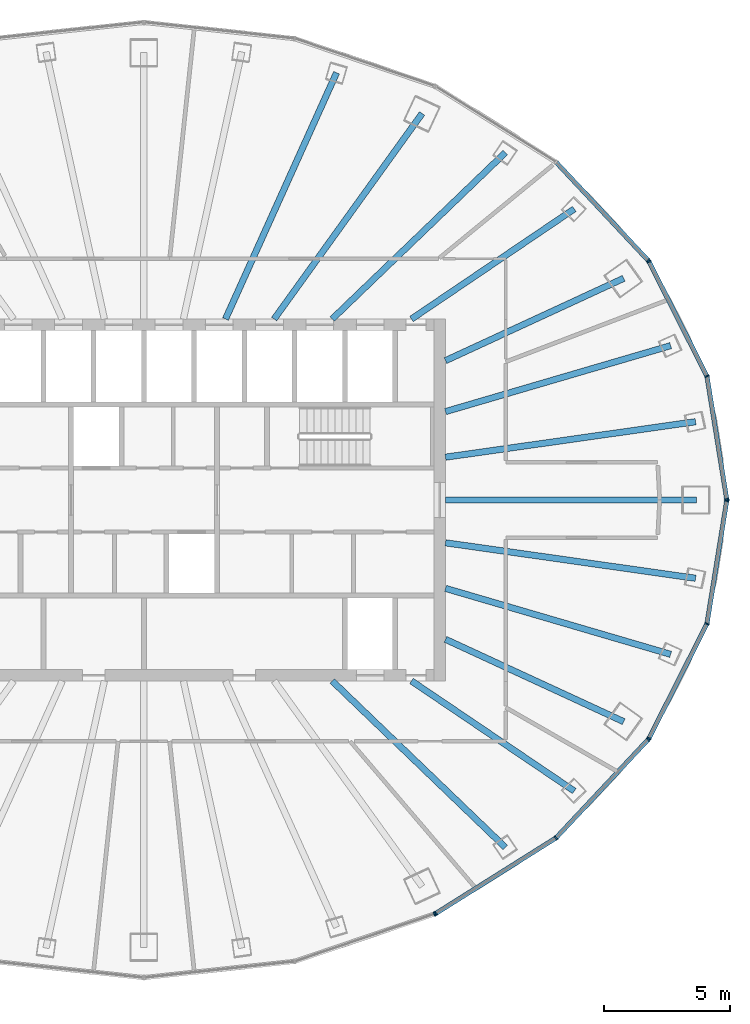
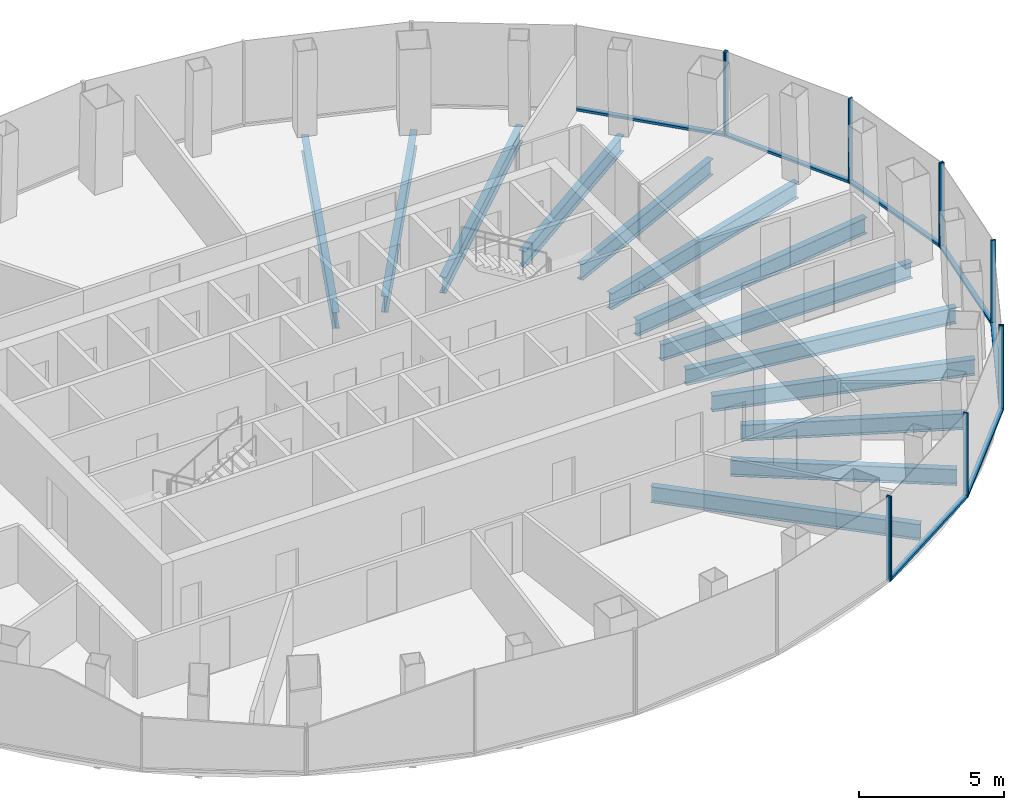
# One storey, part 5 of 11: 18 members, 13 beams, 5 elements without a shape of their own.
"""IFC4 building model written with IfcOpenShell, lengths in metres."""

import ifcopenshell
import ifcopenshell.guid

model = None  # the IFC model being written
_history = None  # IfcOwnerHistory: only IFC2X3 demands one
_inside = {}  # id of a spatial element -> (the spatial element, [elements in it])
_under = {}  # id of a project, library or spatial element -> (it, [spatial elements below it])
_declared = {}  # id of a project -> (the project, [libraries it declares])
_typed = {}  # id of a type object -> (the type object, [elements of that type])
_made_of = {}  # id of a material, layer set ... -> (it, [elements and type objects made of it])


def new_model(schema):
    """Start an empty IFC model of exactly this schema.

    Asked for "IFC4X3", IfcOpenShell would pick the latest addendum, in which some entities
    have other attributes; the version numbers below select the first issue.
    IFC2X3 requires an IfcOwnerHistory on every rooted entity: one is made here for all.
    """
    global model, _history
    if schema == "IFC4X3":
        model = ifcopenshell.file(schema_version=(4, 3, 0, 0))
    else:
        model = ifcopenshell.file(schema=schema)
    _inside.clear()
    _under.clear()
    _declared.clear()
    _typed.clear()
    _made_of.clear()
    _history = None
    if model.schema == "IFC2X3":
        org = make("IfcOrganization", Name="unknown")
        user = make(
            "IfcPersonAndOrganization",
            ThePerson=make("IfcPerson", FamilyName="unknown"),
            TheOrganization=org,
        )
        app = make(
            "IfcApplication",
            ApplicationDeveloper=org,
            Version="unknown",
            ApplicationFullName="unknown",
            ApplicationIdentifier="unknown",
        )
        _history = make(
            "IfcOwnerHistory",
            OwningUser=user,
            OwningApplication=app,
            ChangeAction="ADDED",
            CreationDate=0,
        )
    return model


def make(cls, **values):
    """One entity of the class cls with the attributes given. An attribute that is None is left unset."""
    return model.create_entity(
        cls, **{name: value for name, value in values.items() if value is not None}
    )


def rooted(cls, **values):
    """An entity with a GlobalId (a new one), such as an element, a storey or a relation."""
    return make(cls, GlobalId=ifcopenshell.guid.new(), OwnerHistory=_history, **values)


def si_unit(unit_type, name, prefix=None):
    """IfcSIUnit, for example si_unit("LENGTHUNIT", "METRE", prefix="MILLI")."""
    return make("IfcSIUnit", UnitType=unit_type, Prefix=prefix, Name=name)


def assignment(units):
    """IfcUnitAssignment: the units of a project."""
    return None if units is None else make("IfcUnitAssignment", Units=units)


def point(xyz):
    """IfcCartesianPoint."""
    return None if xyz is None else make("IfcCartesianPoint", Coordinates=xyz)


def direction(xyz):
    """IfcDirection."""
    return None if xyz is None else make("IfcDirection", DirectionRatios=xyz)


def frame(location, z_axis=None, x_axis=None):
    """IfcAxis2Placement3D, a coordinate frame: its origin and axes. An axis left out is left unset."""
    return make(
        "IfcAxis2Placement3D",
        Location=point(location),
        Axis=direction(z_axis),
        RefDirection=direction(x_axis),
    )


def frame_2d(location, x_axis=None):
    """IfcAxis2Placement2D, a coordinate frame in the plane: its origin and x axis."""
    return make(
        "IfcAxis2Placement2D", Location=point(location), RefDirection=direction(x_axis)
    )


def origin():
    """The frame at (0, 0, 0) with its axes left unset."""
    return frame((0.0, 0.0, 0.0))


def origin_2d():
    """The frame at (0, 0) in the plane with its x axis left unset."""
    return frame_2d((0.0, 0.0))


def place(relative_to, where):
    """IfcLocalPlacement: puts the frame where relative to a parent placement (None: the world)."""
    return make(
        "IfcLocalPlacement", PlacementRelTo=relative_to, RelativePlacement=where
    )


def context(
    kind, dimensions, precision=None, world=None, true_north=None, identifier=None
):
    """IfcGeometricRepresentationContext, for example the 3D "Model" context."""
    return make(
        "IfcGeometricRepresentationContext",
        ContextIdentifier=identifier,
        ContextType=kind,
        CoordinateSpaceDimension=dimensions,
        Precision=precision,
        WorldCoordinateSystem=world,
        TrueNorth=true_north,
    )


def subcontext(parent, identifier, kind, view, scale=None):
    """IfcGeometricRepresentationSubContext, for example "Body" below "Model"."""
    return make(
        "IfcGeometricRepresentationSubContext",
        ContextIdentifier=identifier,
        ContextType=kind,
        ParentContext=parent,
        TargetScale=scale,
        TargetView=view,
    )


def project(units=None, contexts=None):
    """IfcProject with its units and contexts."""
    return rooted(
        "IfcProject",
        Name="project",
        RepresentationContexts=contexts,
        UnitsInContext=assignment(units),
    )


def spatial(cls, under=None, at=None, **own):
    """A site, building, storey or space (cls), placed at a placement, below another one or the project."""
    s = rooted(cls, ObjectPlacement=at, **own)
    if under is not None:
        _under.setdefault(under.id(), (under, []))[1].append(s)
    return s


def profile(cls, at=None, kind="AREA", **sizes):
    """A parametric profile (cls). Its sizes go by their IFC names, for example OverallWidth=200.0."""
    return make(cls, ProfileType=kind, Position=at, **sizes)


def rectangle(**sizes):
    """IfcRectangleProfileDef."""
    return profile("IfcRectangleProfileDef", **sizes)


def i_section(**sizes):
    """IfcIShapeProfileDef."""
    return profile("IfcIShapeProfileDef", **sizes)


def extrude(swept, where, along, depth):
    """IfcExtrudedAreaSolid: the profile swept, set in the frame where, extruded along a direction by depth."""
    return make(
        "IfcExtrudedAreaSolid",
        SweptArea=swept,
        Position=where,
        ExtrudedDirection=direction(along),
        Depth=depth,
    )


def shape(context_of_items, identifier, shape_type, items):
    """IfcShapeRepresentation: the items that make up one representation, for example the "Body"."""
    return make(
        "IfcShapeRepresentation",
        ContextOfItems=context_of_items,
        RepresentationIdentifier=identifier,
        RepresentationType=shape_type,
        Items=items,
    )


def material(Name=None, Category=None):
    """IfcMaterial."""
    return make("IfcMaterial", Name=Name, Category=Category)


def layer(
    of_material, thickness, ventilated=None, Name=None, Category=None, Priority=None
):
    """IfcMaterialLayer: one layer of a wall or slab, of a material (None: an air gap)."""
    return make(
        "IfcMaterialLayer",
        Material=of_material,
        LayerThickness=thickness,
        IsVentilated=ventilated,
        Name=Name,
        Category=Category,
        Priority=Priority,
    )


def layer_set(layers, Name=None):
    """IfcMaterialLayerSet."""
    return make("IfcMaterialLayerSet", MaterialLayers=layers, LayerSetName=Name)


def material_profile(
    of_material, cross_section, Name=None, Category=None, Priority=None
):
    """IfcMaterialProfile: a cross section and its material."""
    return make(
        "IfcMaterialProfile",
        Name=Name,
        Material=of_material,
        Profile=cross_section,
        Priority=Priority,
        Category=Category,
    )


def profile_set(profiles, Name=None, composite=None):
    """IfcMaterialProfileSet."""
    return make(
        "IfcMaterialProfileSet",
        Name=Name,
        MaterialProfiles=profiles,
        CompositeProfile=composite,
    )


def made_of(thing, what):
    """Note that an element or type object is made of a material, layer set ...; save() writes the relation."""
    if what is not None:
        _made_of.setdefault(what.id(), (what, []))[1].append(thing)
    return thing


def type_object(cls, material=None, **own):
    """A type object (cls), such as IfcWallType, which elements share."""
    return made_of(rooted(cls, **own), material)


def element(
    cls,
    number,
    at=None,
    inside=None,
    cuts=None,
    type_object=None,
    material=None,
    context=None,
    identifier="Body",
    shape_type=None,
    held_by="IfcProductDefinitionShape",
    body=None,
    shapes=None,
    **own,
):
    """One element of the class cls, such as IfcWall. Its Tag is "e" and its number.

    at: its placement. inside: the storey or other place that contains it. cuts: it is an
    opening in that element (IfcRelVoidsElement). A single representation is given by context,
    identifier, shape_type and body (its items); several are given by shapes. held_by: the class
    of the entity that holds the representations. save() writes the other relations.
    """
    e = rooted(cls, Tag="e%d" % number, ObjectPlacement=at, **own)
    if body is not None:
        shapes = [shape(context, identifier, shape_type, body)]
    if shapes is not None:
        e.Representation = make(held_by, Representations=shapes)
    if inside is not None:
        _inside.setdefault(inside.id(), (inside, []))[1].append(e)
    if cuts is not None:
        rooted(
            "IfcRelVoidsElement", RelatingBuildingElement=cuts, RelatedOpeningElement=e
        )
    if type_object is not None:
        _typed.setdefault(type_object.id(), (type_object, []))[1].append(e)
    return made_of(e, material)


def aggregate(whole, parts):
    """IfcRelAggregates: a whole, such as a stair, and the parts it consists of."""
    return rooted("IfcRelAggregates", RelatingObject=whole, RelatedObjects=parts)


def save(model, path):
    """Write the relations noted so far, then the file.

    IfcRelAggregates (storeys below a building ...), IfcRelContainedInSpatialStructure (elements
    in a storey), IfcRelDefinesByType, IfcRelAssociatesMaterial and IfcRelDeclares: one each for
    every whole, place, type object, material and project.
    """
    for whole, parts in _under.values():
        aggregate(whole, parts)
    for where, things in _inside.values():
        rooted(
            "IfcRelContainedInSpatialStructure",
            RelatedElements=things,
            RelatingStructure=where,
        )
    for kind, things in _typed.values():
        rooted("IfcRelDefinesByType", RelatedObjects=things, RelatingType=kind)
    for what, things in _made_of.values():
        rooted("IfcRelAssociatesMaterial", RelatedObjects=things, RelatingMaterial=what)
    for by, libraries in _declared.values():
        rooted("IfcRelDeclares", RelatingContext=by, RelatedDefinitions=libraries)
    model.write(path)


model = new_model("IFC4")

# Units and contexts
model_context = context("Model", 3, precision=1e-05, world=origin(), true_north=direction((0.0, 1.0)))
body_context = subcontext(model_context, "Body", "Model", "MODEL_VIEW")
ifc_project = project(units=[si_unit("LENGTHUNIT", "METRE"), si_unit("AREAUNIT", "SQUARE_METRE"), si_unit("VOLUMEUNIT", "CUBIC_METRE"), si_unit("PLANEANGLEUNIT", "RADIAN"), si_unit("MASSUNIT", "GRAM", prefix="KILO")], contexts=[model_context])

# Site, building, storey
site_placement = place(None, origin())
site = spatial("IfcSite", under=ifc_project, at=site_placement, CompositionType="ELEMENT")
building_placement = place(site_placement, origin())
building = spatial("IfcBuilding", under=site, at=building_placement, Name="Siaravel Broadcast Tower", CompositionType="ELEMENT")
storey_placement = place(building_placement, frame((0.0, 0.0, 186.699951171875)))
storey = spatial("IfcBuildingStorey", under=building, at=storey_placement, Name="L45", CompositionType="ELEMENT", Elevation=186.699951171875)

# Beams
ifc_material_1 = material(Name="Steel S355", Category="steel")
ifc_material_profile_1 = material_profile(ifc_material_1, i_section(OverallWidth=0.2529296875, OverallDepth=0.677978515625, WebThickness=0.01171875, FlangeThickness=0.01611328125, FilletRadius=0.01513671875, at=origin_2d()))
ifc_profile_set_1 = profile_set([ifc_material_profile_1], Name="Steel S355")
beam_type = type_object("IfcBeamType", Name="BM-UB 686x254x125", PredefinedType="BEAM", material=ifc_profile_set_1)
beam_1_placement = place(storey_placement, frame((21.98046875, 0.0, -0.489013671875), z_axis=(-1.0, 0.0, 0.0), x_axis=(0.0, -1.0, 0.0)))
element("IfcBeam", 1, at=beam_1_placement, inside=storey, type_object=beam_type, Name="Radial beam RB01", PredefinedType="BEAM", context=body_context, shape_type="SweptSolid", body=[
    extrude(i_section(OverallWidth=0.2529296875, OverallDepth=0.677978515625, WebThickness=0.01171875, FlangeThickness=0.01611328125, FilletRadius=0.01513671875, at=origin_2d()), origin(), (0.0, 0.0, 1.0), 9.98046875),
])
beam_2_placement = place(storey_placement, frame((21.94775390625, 3.114501953125, -0.489013671875), z_axis=(-0.990081247, -0.140495994, 0.0), x_axis=(0.140495994, -0.990081247, 0.0)))
element("IfcBeam", 2, at=beam_2_placement, inside=storey, type_object=beam_type, Name="Radial beam RB02", PredefinedType="BEAM", context=body_context, shape_type="SweptSolid", body=[
    extrude(i_section(OverallWidth=0.2529296875, OverallDepth=0.677978515625, WebThickness=0.01171875, FlangeThickness=0.01611328125, FilletRadius=0.01513671875, at=origin_2d()), origin(), (0.0, 0.0, 1.0), 10.04736328125),
])
beam_3_placement = place(storey_placement, frame((20.95751953125, 6.14111328125, -0.489013671875), z_axis=(-0.959649477, -0.281199006, 0.0), x_axis=(0.281199006, -0.959649477, 0.0)))
element("IfcBeam", 3, at=beam_3_placement, inside=storey, type_object=beam_type, Name="Radial beam RB03", PredefinedType="BEAM", context=body_context, shape_type="SweptSolid", body=[
    extrude(i_section(OverallWidth=0.2529296875, OverallDepth=0.677978515625, WebThickness=0.01171875, FlangeThickness=0.01611328125, FilletRadius=0.01513671875, at=origin_2d()), origin(), (0.0, 0.0, 1.0), 9.334228515625),
])
beam_4_placement = place(storey_placement, frame((19.089111328125, 8.819091796875, -0.489013671875), z_axis=(-0.907801019, -0.419401132, 0.0), x_axis=(0.419401132, -0.907801019, 0.0)))
element("IfcBeam", 4, at=beam_4_placement, inside=storey, type_object=beam_type, Name="Radial beam RB04", PredefinedType="BEAM", context=body_context, shape_type="SweptSolid", body=[
    extrude(i_section(OverallWidth=0.2529296875, OverallDepth=0.677978515625, WebThickness=0.01171875, FlangeThickness=0.01611328125, FilletRadius=0.01513671875, at=origin_2d()), origin(), (0.0, 0.0, 1.0), 7.80908203125),
])
beam_5_placement = place(storey_placement, frame((17.121826171875, 11.57958984375, -0.489013671875), z_axis=(-0.828346922, -0.560215473, 0.0), x_axis=(0.560215473, -0.828346922, 0.0)))
element("IfcBeam", 5, at=beam_5_placement, inside=storey, type_object=beam_type, Name="Radial beam RB05", PredefinedType="BEAM", context=body_context, shape_type="SweptSolid", body=[
    extrude(i_section(OverallWidth=0.2529296875, OverallDepth=0.677978515625, WebThickness=0.01171875, FlangeThickness=0.01611328125, FilletRadius=0.01513671875, at=origin_2d()), origin(), (0.0, 0.0, 1.0), 7.81787109375),
])
beam_6_placement = place(storey_placement, frame((14.3828125, 13.8232421875, -0.489013671875), z_axis=(-0.720990601, -0.692944841, 0.0), x_axis=(0.692944841, -0.720990601, 0.0)))
element("IfcBeam", 6, at=beam_6_placement, inside=storey, type_object=beam_type, Name="Radial beam RB06", PredefinedType="BEAM", context=body_context, shape_type="SweptSolid", body=[
    extrude(i_section(OverallWidth=0.2529296875, OverallDepth=0.677978515625, WebThickness=0.01171875, FlangeThickness=0.01611328125, FilletRadius=0.01513671875, at=origin_2d()), origin(), (0.0, 0.0, 1.0), 9.55810546875),
])
beam_7_placement = place(storey_placement, frame((11.070068359375, 15.378173828125, -0.489013671875), z_axis=(-0.584231963, -0.811586726, 0.0), x_axis=(0.811586726, -0.584231963, 0.0)))
element("IfcBeam", 7, at=beam_7_placement, inside=storey, type_object=beam_type, Name="Radial beam RB07", PredefinedType="BEAM", context=body_context, shape_type="SweptSolid", body=[
    extrude(i_section(OverallWidth=0.2529296875, OverallDepth=0.677978515625, WebThickness=0.01171875, FlangeThickness=0.01611328125, FilletRadius=0.01513671875, at=origin_2d()), origin(), (0.0, 0.0, 1.0), 10.076904296875),
])
beam_8_placement = place(storey_placement, frame((7.665283203125, 16.998779296875, -0.489013671875), z_axis=(-0.411059642, -0.911608453, 0.0), x_axis=(0.911608453, -0.411059642, 0.0)))
element("IfcBeam", 8, at=beam_8_placement, inside=storey, type_object=beam_type, Name="Radial beam RB08", PredefinedType="BEAM", context=body_context, shape_type="SweptSolid", body=[
    extrude(i_section(OverallWidth=0.2529296875, OverallDepth=0.677978515625, WebThickness=0.01171875, FlangeThickness=0.01611328125, FilletRadius=0.01513671875, at=origin_2d()), origin(), (0.0, 0.0, 1.0), 10.7490234375),
])
beam_9_placement = place(storey_placement, frame((14.3828125, -13.8232421875, -0.489013671875), z_axis=(-0.720990601, 0.692944841, 0.0), x_axis=(-0.692944841, -0.720990601, 0.0)))
element("IfcBeam", 9, at=beam_9_placement, inside=storey, type_object=beam_type, Name="Radial beam RB32", PredefinedType="BEAM", context=body_context, shape_type="SweptSolid", body=[
    extrude(i_section(OverallWidth=0.2529296875, OverallDepth=0.677978515625, WebThickness=0.01171875, FlangeThickness=0.01611328125, FilletRadius=0.01513671875, at=origin_2d()), origin(), (0.0, 0.0, 1.0), 9.55810546875),
])
beam_10_placement = place(storey_placement, frame((17.121826171875, -11.57958984375, -0.489013671875), z_axis=(-0.828346922, 0.560215473, 0.0), x_axis=(-0.560215473, -0.828346922, 0.0)))
element("IfcBeam", 10, at=beam_10_placement, inside=storey, type_object=beam_type, Name="Radial beam RB33", PredefinedType="BEAM", context=body_context, shape_type="SweptSolid", body=[
    extrude(i_section(OverallWidth=0.2529296875, OverallDepth=0.677978515625, WebThickness=0.01171875, FlangeThickness=0.01611328125, FilletRadius=0.01513671875, at=origin_2d()), origin(), (0.0, 0.0, 1.0), 7.81787109375),
])
beam_11_placement = place(storey_placement, frame((19.089111328125, -8.819091796875, -0.489013671875), z_axis=(-0.907801019, 0.419401132, 0.0), x_axis=(-0.419401132, -0.907801019, 0.0)))
element("IfcBeam", 11, at=beam_11_placement, inside=storey, type_object=beam_type, Name="Radial beam RB34", PredefinedType="BEAM", context=body_context, shape_type="SweptSolid", body=[
    extrude(i_section(OverallWidth=0.2529296875, OverallDepth=0.677978515625, WebThickness=0.01171875, FlangeThickness=0.01611328125, FilletRadius=0.01513671875, at=origin_2d()), origin(), (0.0, 0.0, 1.0), 7.80908203125),
])
beam_12_placement = place(storey_placement, frame((20.95751953125, -6.14111328125, -0.489013671875), z_axis=(-0.959649477, 0.281199006, 0.0), x_axis=(-0.281199006, -0.959649477, 0.0)))
element("IfcBeam", 12, at=beam_12_placement, inside=storey, type_object=beam_type, Name="Radial beam RB35", PredefinedType="BEAM", context=body_context, shape_type="SweptSolid", body=[
    extrude(i_section(OverallWidth=0.2529296875, OverallDepth=0.677978515625, WebThickness=0.01171875, FlangeThickness=0.01611328125, FilletRadius=0.01513671875, at=origin_2d()), origin(), (0.0, 0.0, 1.0), 9.334228515625),
])
beam_13_placement = place(storey_placement, frame((21.94775390625, -3.114501953125, -0.489013671875), z_axis=(-0.990081247, 0.140495994, 0.0), x_axis=(-0.140495994, -0.990081247, 0.0)))
element("IfcBeam", 13, at=beam_13_placement, inside=storey, type_object=beam_type, Name="Radial beam RB36", PredefinedType="BEAM", context=body_context, shape_type="SweptSolid", body=[
    extrude(i_section(OverallWidth=0.2529296875, OverallDepth=0.677978515625, WebThickness=0.01171875, FlangeThickness=0.01611328125, FilletRadius=0.01513671875, at=origin_2d()), origin(), (0.0, 0.0, 1.0), 10.04736328125),
])

# Curtain wall, members
ifc_material_2 = material(Name="Aluminium 6063-T6", Category="aluminium")
ifc_layer = layer(ifc_material_2, 0.179931640625)
ifc_layer_set = layer_set([ifc_layer], Name="Aluminium 6063-T6")
curtain_wall_type = type_object("IfcCurtainWallType", Name="Unitised curtain wall, zone 3", PredefinedType="NOTDEFINED", material=ifc_layer_set)
curtain_wall_1_placement = place(storey_placement, origin())
curtain_wall_1 = element("IfcCurtainWall", 14, at=curtain_wall_1_placement, inside=storey, type_object=curtain_wall_type, Name="L45 Unitised curtain wall, zone 3 01", PredefinedType="NOTDEFINED")
ifc_material_profile_2 = material_profile(ifc_material_2, rectangle(XDim=0.179931640625, YDim=0.06005859375, at=origin_2d()))
ifc_profile_set_2 = profile_set([ifc_material_profile_2], Name="Aluminium 6063-T6")
member_type_1 = type_object("IfcMemberType", Name="CW-Z3 mullion", PredefinedType="MULLION", material=ifc_profile_set_2)
member_1_placement = place(storey_placement, frame((23.189697265625, 0.029541015625, 0.0), z_axis=(0.0, 0.0, 1.0), x_axis=(-0.987329174, -0.158685547, 0.0)))
member_1 = element("IfcMember", 15, at=member_1_placement, type_object=member_type_1, Name="CW-Z3 mullion 1", PredefinedType="MULLION", context=body_context, shape_type="SweptSolid", body=[
    extrude(rectangle(XDim=0.179931640625, YDim=0.06005859375, at=origin_2d()), origin(), (0.0, 0.0, 1.0), 3.550048828125),
])
member_2_placement = place(storey_placement, frame((22.4033203125, 4.922119140625, 0.0), z_axis=(0.0, 0.0, 1.0), x_axis=(-0.95117718, -0.308645383, 0.0)))
member_2 = element("IfcMember", 16, at=member_2_placement, type_object=member_type_1, Name="CW-Z3 mullion 2", PredefinedType="MULLION", context=body_context, shape_type="SweptSolid", body=[
    extrude(rectangle(XDim=0.179931640625, YDim=0.06005859375, at=origin_2d()), origin(), (0.0, 0.0, 1.0), 3.550048828125),
])
member_3_placement = place(storey_placement, frame((20.09814453125, 9.48095703125, 0.0), z_axis=(0.0, 0.0, 1.0), x_axis=(-0.892392002, -0.451261028, 0.0)))
member_3 = element("IfcMember", 17, at=member_3_placement, type_object=member_type_1, Name="CW-Z3 mullion 3", PredefinedType="MULLION", context=body_context, shape_type="SweptSolid", body=[
    extrude(rectangle(XDim=0.179931640625, YDim=0.06005859375, at=origin_2d()), origin(), (0.0, 0.0, 1.0), 3.550048828125),
])

# Curtain wall, member
curtain_wall_2_placement = place(storey_placement, origin())
curtain_wall_2 = element("IfcCurtainWall", 18, at=curtain_wall_2_placement, inside=storey, type_object=curtain_wall_type, Name="L45 Unitised curtain wall, zone 3 02", PredefinedType="NOTDEFINED")
member_4_placement = place(storey_placement, frame((20.064208984375, 9.52978515625, 0.0), z_axis=(0.0, 0.0, 1.0), x_axis=(-0.729805016, -0.683655351, 0.0)))
member_4 = element("IfcMember", 19, at=member_4_placement, type_object=member_type_1, Name="CW-Z3 mullion 1", PredefinedType="MULLION", context=body_context, shape_type="SweptSolid", body=[
    extrude(rectangle(XDim=0.179931640625, YDim=0.06005859375, at=origin_2d()), origin(), (0.0, 0.0, 1.0), 3.550048828125),
])

curtain_wall_3_placement = place(storey_placement, origin())
curtain_wall_3 = element("IfcCurtainWall", 20, at=curtain_wall_3_placement, inside=storey, type_object=curtain_wall_type, Name="L45 Unitised curtain wall, zone 3 10", PredefinedType="NOTDEFINED")
member_5_placement = place(storey_placement, frame((11.565185546875, -16.472900390625, 0.0), z_axis=(0.0, 0.0, 1.0), x_axis=(-0.321300369, 0.946977335, 0.0)))
member_5 = element("IfcMember", 21, at=member_5_placement, type_object=member_type_1, Name="CW-Z3 mullion 3", PredefinedType="MULLION", context=body_context, shape_type="SweptSolid", body=[
    extrude(rectangle(XDim=0.179931640625, YDim=0.06005859375, at=origin_2d()), origin(), (0.0, 0.0, 1.0), 3.550048828125),
])
aggregate(curtain_wall_3, [member_5])

# Curtain wall, members
curtain_wall_4_placement = place(storey_placement, origin())
curtain_wall_4 = element("IfcCurtainWall", 22, at=curtain_wall_4_placement, inside=storey, type_object=curtain_wall_type, Name="L45 Unitised curtain wall, zone 3 11", PredefinedType="NOTDEFINED")
member_6_placement = place(storey_placement, frame((11.618896484375, -16.447265625, 0.0), z_axis=(0.0, 0.0, 1.0), x_axis=(-0.532148919, 0.846650771, 0.0)))
member_6 = element("IfcMember", 23, at=member_6_placement, type_object=member_type_1, Name="CW-Z3 mullion 1", PredefinedType="MULLION", context=body_context, shape_type="SweptSolid", body=[
    extrude(rectangle(XDim=0.179931640625, YDim=0.06005859375, at=origin_2d()), origin(), (0.0, 0.0, 1.0), 3.550048828125),
])
member_7_placement = place(storey_placement, frame((16.397216796875, -13.44384765625, 0.0), z_axis=(0.0, 0.0, 1.0), x_axis=(-0.636218366, 0.771509035, 0.0)))
member_7 = element("IfcMember", 24, at=member_7_placement, type_object=member_type_1, Name="CW-Z3 mullion 2", PredefinedType="MULLION", context=body_context, shape_type="SweptSolid", body=[
    extrude(rectangle(XDim=0.179931640625, YDim=0.06005859375, at=origin_2d()), origin(), (0.0, 0.0, 1.0), 3.550048828125),
])
member_8_placement = place(storey_placement, frame((20.064208984375, -9.52978515625, 0.0), z_axis=(0.0, 0.0, 1.0), x_axis=(-0.729805016, 0.683655351, 0.0)))
member_8 = element("IfcMember", 25, at=member_8_placement, type_object=member_type_1, Name="CW-Z3 mullion 3", PredefinedType="MULLION", context=body_context, shape_type="SweptSolid", body=[
    extrude(rectangle(XDim=0.179931640625, YDim=0.06005859375, at=origin_2d()), origin(), (0.0, 0.0, 1.0), 3.550048828125),
])

curtain_wall_5_placement = place(storey_placement, origin())
curtain_wall_5 = element("IfcCurtainWall", 26, at=curtain_wall_5_placement, inside=storey, type_object=curtain_wall_type, Name="L45 Unitised curtain wall, zone 3 12", PredefinedType="NOTDEFINED")
member_9_placement = place(storey_placement, frame((20.09814453125, -9.48095703125, 0.0), z_axis=(0.0, 0.0, 1.0), x_axis=(-0.892392002, 0.451261028, 0.0)))
member_9 = element("IfcMember", 27, at=member_9_placement, type_object=member_type_1, Name="CW-Z3 mullion 1", PredefinedType="MULLION", context=body_context, shape_type="SweptSolid", body=[
    extrude(rectangle(XDim=0.179931640625, YDim=0.06005859375, at=origin_2d()), origin(), (0.0, 0.0, 1.0), 3.550048828125),
])
member_10_placement = place(storey_placement, frame((22.4033203125, -4.922119140625, 0.0), z_axis=(0.0, 0.0, 1.0), x_axis=(-0.95117718, 0.308645383, 0.0)))
member_10 = element("IfcMember", 28, at=member_10_placement, type_object=member_type_1, Name="CW-Z3 mullion 2", PredefinedType="MULLION", context=body_context, shape_type="SweptSolid", body=[
    extrude(rectangle(XDim=0.179931640625, YDim=0.06005859375, at=origin_2d()), origin(), (0.0, 0.0, 1.0), 3.550048828125),
])
member_11_placement = place(storey_placement, frame((23.189697265625, -0.029541015625, 0.0), z_axis=(0.0, 0.0, 1.0), x_axis=(-0.987329174, 0.158685547, 0.0)))
member_11 = element("IfcMember", 29, at=member_11_placement, type_object=member_type_1, Name="CW-Z3 mullion 3", PredefinedType="MULLION", context=body_context, shape_type="SweptSolid", body=[
    extrude(rectangle(XDim=0.179931640625, YDim=0.06005859375, at=origin_2d()), origin(), (0.0, 0.0, 1.0), 3.550048828125),
])

# Member
ifc_material_profile_3 = material_profile(ifc_material_2, rectangle(XDim=0.179931640625, YDim=0.10009765625, at=origin_2d()))
ifc_profile_set_3 = profile_set([ifc_material_profile_3], Name="Aluminium 6063-T6")
member_type_2 = type_object("IfcMemberType", Name="CW-Z3 transom", PredefinedType="USERDEFINED", material=ifc_profile_set_3)
member_12_placement = place(storey_placement, frame((23.18505859375, 0.05908203125, 0.050048828125), z_axis=(-0.158686777, 0.987328976, 0.0), x_axis=(-0.987328976, -0.158686777, 0.0)))
member_12 = element("IfcMember", 30, at=member_12_placement, type_object=member_type_2, Name="CW-Z3 transom 1", ObjectType="TRANSOM", PredefinedType="USERDEFINED", context=body_context, shape_type="SweptSolid", body=[
    extrude(rectangle(XDim=0.179931640625, YDim=0.10009765625, at=origin_2d()), origin(), (0.0, 0.0, 1.0), 4.8955078125),
])

member_13_placement = place(storey_placement, frame((22.389892578125, 4.948974609375, 0.050048828125), z_axis=(-0.451251966, 0.892396584, 0.0), x_axis=(-0.892396584, -0.451251966, 0.0)))
member_13 = element("IfcMember", 31, at=member_13_placement, type_object=member_type_2, Name="CW-Z3 transom 2", ObjectType="TRANSOM", PredefinedType="USERDEFINED", context=body_context, shape_type="SweptSolid", body=[
    extrude(rectangle(XDim=0.179931640625, YDim=0.10009765625, at=origin_2d()), origin(), (0.0, 0.0, 1.0), 5.04833984375),
])

aggregate(curtain_wall_1, [member_1, member_2, member_3, member_12, member_13])

member_14_placement = place(storey_placement, frame((20.043701171875, 9.551513671875, 0.050048828125), z_axis=(-0.683668525, 0.729792674, 0.0), x_axis=(-0.729792674, -0.683668525, 0.0)))
member_14 = element("IfcMember", 32, at=member_14_placement, type_object=member_type_2, Name="CW-Z3 transom 1", ObjectType="TRANSOM", PredefinedType="USERDEFINED", context=body_context, shape_type="SweptSolid", body=[
    extrude(rectangle(XDim=0.179931640625, YDim=0.10009765625, at=origin_2d()), origin(), (0.0, 0.0, 1.0), 5.3037109375),
])

aggregate(curtain_wall_2, [member_4, member_14])

member_15_placement = place(storey_placement, frame((11.644287109375, -16.431396484375, 0.050048828125), z_axis=(0.846649494, 0.53215095, 0.0), x_axis=(-0.53215095, 0.846649494, 0.0)))
member_15 = element("IfcMember", 33, at=member_15_placement, type_object=member_type_2, Name="CW-Z3 transom 1", ObjectType="TRANSOM", PredefinedType="USERDEFINED", context=body_context, shape_type="SweptSolid", body=[
    extrude(rectangle(XDim=0.179931640625, YDim=0.10009765625, at=origin_2d()), origin(), (0.0, 0.0, 1.0), 5.583740234375),
])

member_16_placement = place(storey_placement, frame((16.417724609375, -13.422119140625, 0.050048828125), z_axis=(0.683668525, 0.729792674, 0.0), x_axis=(-0.729792674, 0.683668525, 0.0)))
member_16 = element("IfcMember", 34, at=member_16_placement, type_object=member_type_2, Name="CW-Z3 transom 2", ObjectType="TRANSOM", PredefinedType="USERDEFINED", context=body_context, shape_type="SweptSolid", body=[
    extrude(rectangle(XDim=0.179931640625, YDim=0.10009765625, at=origin_2d()), origin(), (0.0, 0.0, 1.0), 5.3037109375),
])

aggregate(curtain_wall_4, [member_6, member_7, member_8, member_15, member_16])

member_17_placement = place(storey_placement, frame((20.11181640625, -9.4541015625, 0.050048828125), z_axis=(0.451251966, 0.892396584, 0.0), x_axis=(-0.892396584, 0.451251966, 0.0)))
member_17 = element("IfcMember", 35, at=member_17_placement, type_object=member_type_2, Name="CW-Z3 transom 1", ObjectType="TRANSOM", PredefinedType="USERDEFINED", context=body_context, shape_type="SweptSolid", body=[
    extrude(rectangle(XDim=0.179931640625, YDim=0.10009765625, at=origin_2d()), origin(), (0.0, 0.0, 1.0), 5.04833984375),
])

member_18_placement = place(storey_placement, frame((22.408203125, -4.892578125, 0.050048828125), z_axis=(0.158686777, 0.987328976, 0.0), x_axis=(-0.987328976, 0.158686777, 0.0)))
member_18 = element("IfcMember", 36, at=member_18_placement, type_object=member_type_2, Name="CW-Z3 transom 2", ObjectType="TRANSOM", PredefinedType="USERDEFINED", context=body_context, shape_type="SweptSolid", body=[
    extrude(rectangle(XDim=0.179931640625, YDim=0.10009765625, at=origin_2d()), origin(), (0.0, 0.0, 1.0), 4.8955078125),
])

aggregate(curtain_wall_5, [member_9, member_10, member_11, member_17, member_18])

save(model, "model.ifc")
